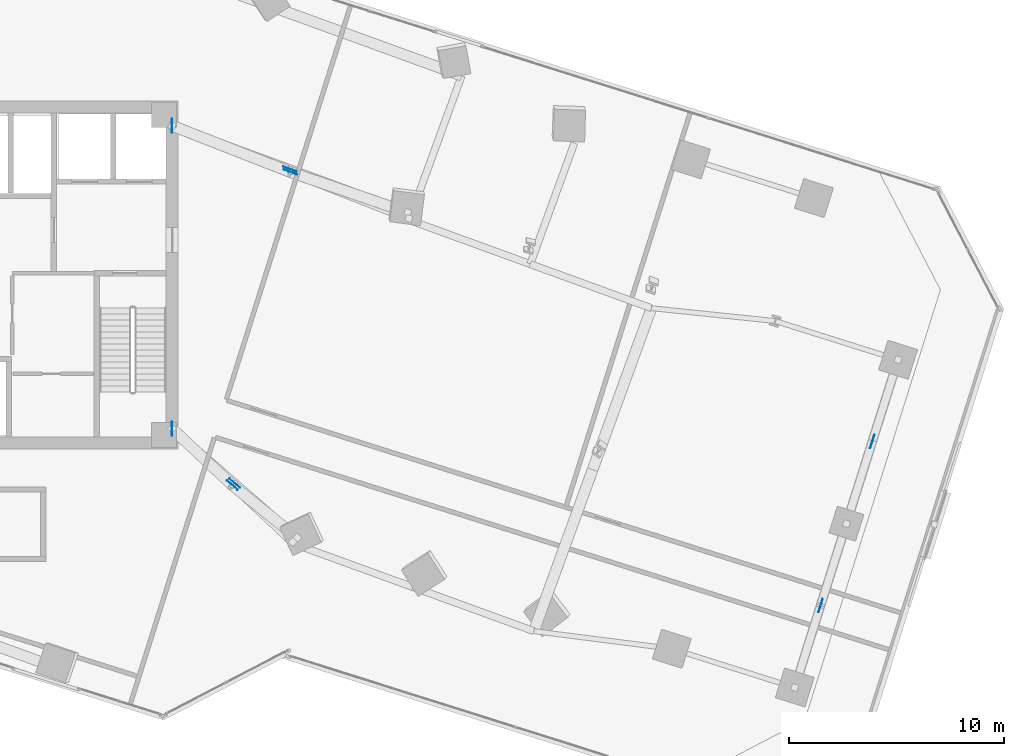
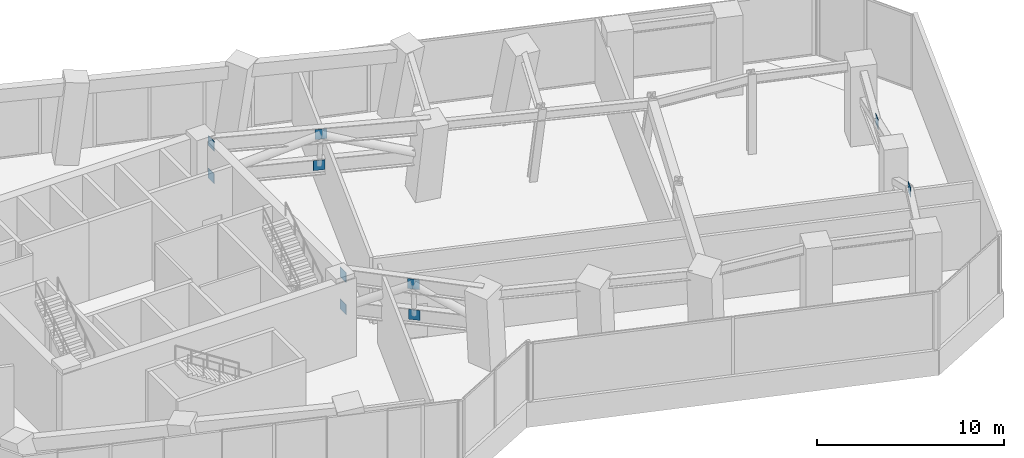
# One storey, part 22 of 29: 10 plates.
"""IFC4 building model written with IfcOpenShell, lengths in metres."""

from ifc_helpers import new_model, si_unit, direction, frame, origin, origin_2d, place, context, subcontext, project, spatial, rectangle, extrude, source, transform, mapped, material, layer, layer_set, type_object, element, save


model = new_model("IFC4")

# Units and contexts
model_context = context("Model", 3, precision=1e-05, world=origin(), true_north=direction((0.0, 1.0)))
body_context = subcontext(model_context, "Body", "Model", "MODEL_VIEW")
ifc_project = project(units=[si_unit("LENGTHUNIT", "METRE"), si_unit("AREAUNIT", "SQUARE_METRE"), si_unit("VOLUMEUNIT", "CUBIC_METRE"), si_unit("PLANEANGLEUNIT", "RADIAN"), si_unit("MASSUNIT", "GRAM", prefix="KILO")], contexts=[model_context])

# Site, building, storey
site_placement = place(None, origin())
site = spatial("IfcSite", under=ifc_project, at=site_placement, CompositionType="ELEMENT")
building_placement = place(site_placement, origin())
building = spatial("IfcBuilding", under=site, at=building_placement, Name="Torre Montelarca", CompositionType="ELEMENT")
storey_placement = place(building_placement, frame((0.0, 0.0, 122.199951171875)))
storey = spatial("IfcBuildingStorey", under=building, at=storey_placement, Name="L27", CompositionType="ELEMENT", Elevation=122.199951171875)

# Plates
ifc_material = material(Name="Steel ASTM A572 Grade 50", Category="steel")
ifc_layer_1 = layer(ifc_material, 0.02392578125, Name="Steel ASTM A572 Grade 50", Category="steel")
ifc_layer_set_1 = layer_set([ifc_layer_1], Name="Steel ASTM A572 Grade 50")
plate_type_1 = type_object("IfcPlateType", Name="PL-GUSSET-24", PredefinedType="SHEET", material=ifc_layer_set_1)
shared_shape_1 = source(origin(), body_context, "Body", "SweptSolid", [
    extrude(rectangle(XDim=0.64990234375, YDim=0.02392578125, at=origin_2d()), origin(), (0.0, 0.0, 1.0), 0.64990234375),
])
for number, where, z_axis, x_axis, name in (
    (1, (29.6318359375, 22.21142578125, 4.525146484375), (0.0, 0.0, 1.0), (-0.753563392302, 0.657375245794, 0.0), "L27 Outrigger Welded Node Plate 1-APX"),
    (2, (29.735595703125, 22.305908203125, 2.425048828125), (0.0, 0.0, 1.0), (-0.753563392302, 0.657375245794, 0.0), "L27 Outrigger Welded Node Plate 1-BOT"),
    (3, (26.820068359375, 24.85009765625, 2.425048828125), (0.0, 0.0, 1.0), (0.0, 1.0, 0.0), "L27 Outrigger Core Wall Cast-In Embed Plate 1-CB"),
    (4, (26.820068359375, 24.85009765625, 4.525146484375), (0.0, 0.0, 1.0), (0.0, 1.0, 0.0), "L27 Outrigger Core Wall Cast-In Embed Plate 1-CT"),
    (5, (32.33447265625, 36.790283203125, 4.525146484375), (0.0, 0.0, 1.0), (-0.938432742561, 0.345461991671, 0.0), "L27 Outrigger Welded Node Plate 2-APX"),
    (6, (32.309814453125, 36.9287109375, 2.425048828125), (0.0, 0.0, 1.0), (-0.938432742561, 0.345461991671, 0.0), "L27 Outrigger Welded Node Plate 2-BOT"),
    (7, (26.820068359375, 38.949951171875, 2.425048828125), (0.0, 0.0, 1.0), (0.0, 1.0, 0.0), "L27 Outrigger Core Wall Cast-In Embed Plate 2-CB"),
    (8, (26.820068359375, 38.949951171875, 4.525146484375), (0.0, 0.0, 1.0), (0.0, 1.0, 0.0), "L27 Outrigger Core Wall Cast-In Embed Plate 2-CT"),
):
    element("IfcPlate", number, at=place(storey_placement, frame(where, z_axis=z_axis, x_axis=x_axis)), inside=storey, type_object=plate_type_1, Name=name, PredefinedType="SHEET", context=body_context, shape_type="MappedRepresentation", body=[
        mapped(shared_shape_1, transform((0.0, 0.0, 0.0), scale=1.0)),
    ])
ifc_layer_2 = layer(ifc_material, 0.02392578125, Name="Steel ASTM A572 Grade 50", Category="steel")
ifc_layer_set_2 = layer_set([ifc_layer_2], Name="Steel ASTM A572 Grade 50")
plate_type_2 = type_object("IfcPlateType", Name="PL-GUSSET-24-EXT", PredefinedType="SHEET", material=ifc_layer_set_2)
shared_shape_2 = source(origin(), body_context, "Body", "SweptSolid", [
    extrude(rectangle(XDim=0.64990234375, YDim=0.02392578125, at=origin_2d()), origin(), (0.0, 0.0, 1.0), 0.64990234375),
])
for number, where, z_axis, x_axis, name in (
    (9, (57.015380859375, 16.60791015625, 4.525146484375), (0.0, 0.0, 1.0), (0.300705799504, 0.953716950748, 0.0), "L27 Belt-Truss Node Gusset Plate 2"),
    (10, (59.4208984375, 24.23779296875, 3.47509765625), (0.0, 0.0, 1.0), (0.300705799504, 0.953716950748, 0.0), "L27 Belt-Truss X-Brace Crossing Gusset Plate 3"),
):
    element("IfcPlate", number, at=place(storey_placement, frame(where, z_axis=z_axis, x_axis=x_axis)), inside=storey, type_object=plate_type_2, Name=name, PredefinedType="SHEET", context=body_context, shape_type="MappedRepresentation", body=[
        mapped(shared_shape_2, transform((0.0, 0.0, 0.0), scale=1.0)),
    ])

save(model, "model.ifc")
